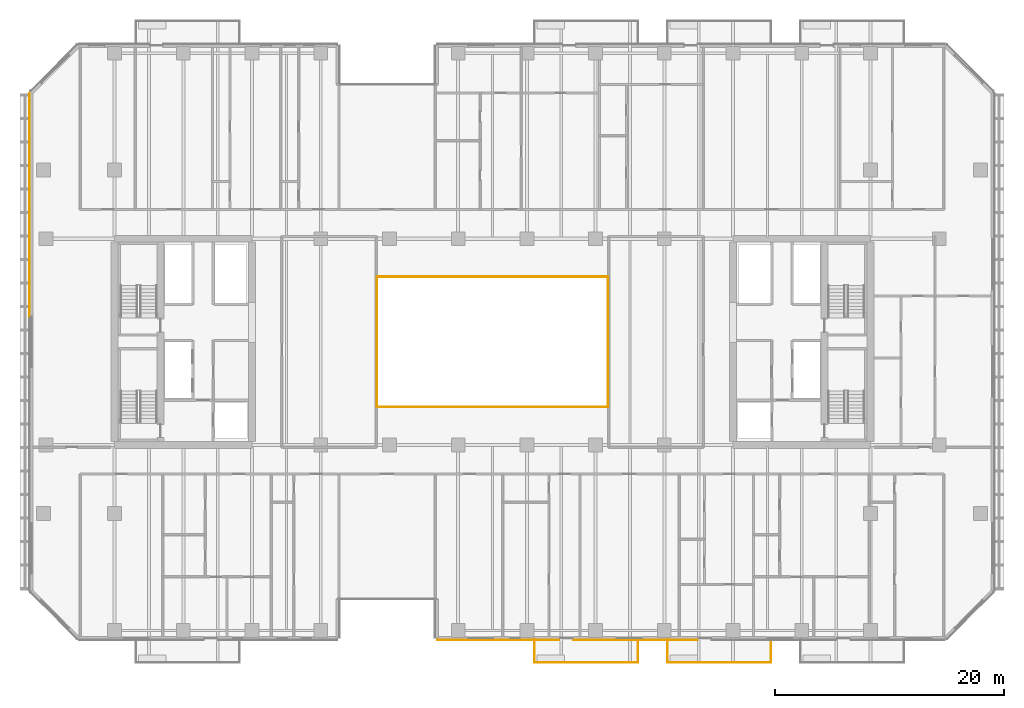
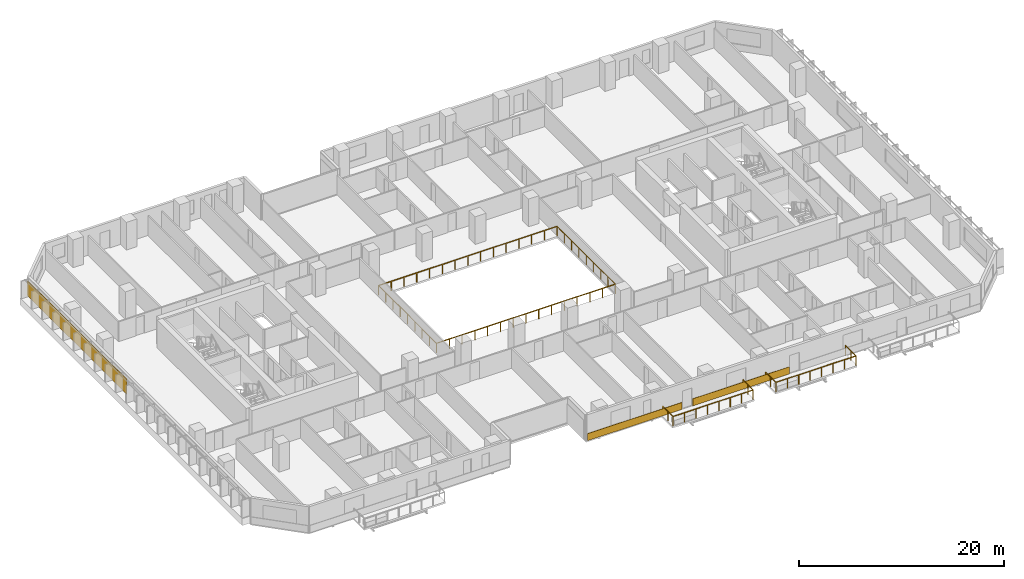
# One storey, part 21 of 26: 4 railings, 3 coverings.
"""IFC4 building model written with IfcOpenShell, lengths in metres."""

from ifc_helpers import new_model, si_unit, direction, frame, origin, origin_2d, place, context, subcontext, project, spatial, rectangle, extrude, material, layer, layer_set, type_object, element, save


model = new_model("IFC4")

# Units and contexts
model_context = context("Model", 3, precision=1e-05, world=origin(), true_north=direction((0.0, 1.0)))
body_context = subcontext(model_context, "Body", "Model", "MODEL_VIEW")
ifc_project = project(units=[si_unit("LENGTHUNIT", "METRE"), si_unit("AREAUNIT", "SQUARE_METRE"), si_unit("VOLUMEUNIT", "CUBIC_METRE"), si_unit("PLANEANGLEUNIT", "RADIAN"), si_unit("MASSUNIT", "GRAM", prefix="KILO")], contexts=[model_context])

# Site, building, storey
site_placement = place(None, origin())
site = spatial("IfcSite", under=ifc_project, at=site_placement, CompositionType="ELEMENT")
building_placement = place(site_placement, origin())
building = spatial("IfcBuilding", under=site, at=building_placement, Name="Tanjung Sevakor Pilgrim Tower", CompositionType="ELEMENT")
storey_placement = place(building_placement, frame((0.0, 0.0, 48.840087890625)))
storey = spatial("IfcBuildingStorey", under=building, at=storey_placement, Name="L13", CompositionType="ELEMENT", Elevation=48.840087890625)

# Coverings
ifc_material_1 = material(Name="Reconstructed Limestone Cladding", Category="masonry")
ifc_layer = layer(ifc_material_1, 0.044921875)
ifc_layer_set = layer_set([ifc_layer], Name="COV-CLAD-LIMESTONE")
covering_type = type_object("IfcCoveringType", Name="COV-CLAD-LIMESTONE", PredefinedType="CLADDING", material=ifc_layer_set)
covering_1_placement = place(storey_placement, frame((57.510009765625, 7.577392578125, 0.009765625), z_axis=(0.0, 0.0, 1.0), x_axis=(1.0, 0.0, 0.0)))
element("IfcCovering", 1, at=covering_1_placement, inside=storey, type_object=covering_type, Name="L13 Warm Limestone Sill Spandrel EW-L13-MAIN-5-1", PredefinedType="CLADDING", context=body_context, shape_type="SweptSolid", body=[
    extrude(rectangle(XDim=10.659912109375, YDim=0.044921875, at=origin_2d()), origin(), (0.0, 0.0, 1.0), 0.840087890625),
])
covering_2_placement = place(storey_placement, frame((69.5, 7.577392578125, 0.009765625), z_axis=(0.0, 0.0, 1.0), x_axis=(1.0, 0.0, 0.0)))
element("IfcCovering", 2, at=covering_2_placement, inside=storey, type_object=covering_type, Name="L13 Warm Limestone Sill Spandrel EW-L13-MAIN-5-2", PredefinedType="CLADDING", context=body_context, shape_type="SweptSolid", body=[
    extrude(rectangle(XDim=10.8798828125, YDim=0.044921875, at=origin_2d()), origin(), (0.0, 0.0, 1.0), 0.840087890625),
])
covering_3_placement = place(storey_placement, frame((16.577392578125, 45.575927734375, 0.849853515625), z_axis=(0.0, 0.0, 1.0), x_axis=(0.0, -1.0, 0.0)))
element("IfcCovering", 3, at=covering_3_placement, inside=storey, type_object=covering_type, Name="L13 Warm Limestone Pier Panel EW-L13-MAIN-15-1", PredefinedType="CLADDING", context=body_context, shape_type="SweptSolid", body=[
    extrude(rectangle(XDim=19.451904296875, YDim=0.044921875, at=origin_2d()), origin(), (0.0, 0.0, 1.0), 1.81005859375),
])

# Railings
ifc_material_2 = material(Name="Laminated Glass and Aluminium", Category="aluminium")
railing_type = type_object("IfcRailingType", Name="RL-BAL-BALUST", PredefinedType="BALUSTRADE", material=ifc_material_2)
railing_1_placement = place(storey_placement, frame((46.919921875, 27.919921875, 0.0)))
element("IfcRailing", 4, at=railing_1_placement, inside=storey, type_object=railing_type, Name="L13 Void Opening Balustrade 1A", PredefinedType="BALUSTRADE", context=body_context, shape_type="SweptSolid", body=[
    extrude(rectangle(XDim=0.0479, YDim=0.0479), frame((0.0, 0.0, 1.1259765625), z_axis=(1.0, 0.0, 0.0), x_axis=(0.0, 1.0, 0.0)), (0.0, 0.0, 1.0), 20.16015625),
    extrude(rectangle(XDim=0.0479, YDim=0.0479), frame((20.16015625, 0.0, 1.1259765625), z_axis=(0.0, 1.0, 0.0), x_axis=(-1.0, 0.0, 0.0)), (0.0, 0.0, 1.0), 11.360107421875),
    extrude(rectangle(XDim=0.042, YDim=0.042), origin(), (0.0, 0.0, 1.0), 1.101806640625),
    extrude(rectangle(XDim=0.042, YDim=0.042), frame((1.43994140625, 0.0, 0.0)), (0.0, 0.0, 1.0), 1.101806640625),
    extrude(rectangle(XDim=0.042, YDim=0.042), frame((2.880126953125, 0.0, 0.0)), (0.0, 0.0, 1.0), 1.101806640625),
    extrude(rectangle(XDim=0.042, YDim=0.042), frame((4.320068359375, 0.0, 0.0)), (0.0, 0.0, 1.0), 1.101806640625),
    extrude(rectangle(XDim=0.042, YDim=0.042), frame((5.760009765625, 0.0, 0.0)), (0.0, 0.0, 1.0), 1.101806640625),
    extrude(rectangle(XDim=0.042, YDim=0.042), frame((7.199951171875, 0.0, 0.0)), (0.0, 0.0, 1.0), 1.101806640625),
    extrude(rectangle(XDim=0.042, YDim=0.042), frame((8.64013671875, 0.0, 0.0)), (0.0, 0.0, 1.0), 1.101806640625),
    extrude(rectangle(XDim=0.042, YDim=0.042), frame((10.080078125, 0.0, 0.0)), (0.0, 0.0, 1.0), 1.101806640625),
    extrude(rectangle(XDim=0.042, YDim=0.042), frame((11.52001953125, 0.0, 0.0)), (0.0, 0.0, 1.0), 1.101806640625),
    extrude(rectangle(XDim=0.042, YDim=0.042), frame((12.960205078125, 0.0, 0.0)), (0.0, 0.0, 1.0), 1.101806640625),
    extrude(rectangle(XDim=0.042, YDim=0.042), frame((14.400146484375, 0.0, 0.0)), (0.0, 0.0, 1.0), 1.101806640625),
    extrude(rectangle(XDim=0.042, YDim=0.042), frame((15.840087890625, 0.0, 0.0)), (0.0, 0.0, 1.0), 1.101806640625),
    extrude(rectangle(XDim=0.042, YDim=0.042), frame((17.280029296875, 0.0, 0.0)), (0.0, 0.0, 1.0), 1.101806640625),
    extrude(rectangle(XDim=0.042, YDim=0.042), frame((18.72021484375, 0.0, 0.0)), (0.0, 0.0, 1.0), 1.101806640625),
    extrude(rectangle(XDim=0.042, YDim=0.042), frame((20.16015625, 0.0, 0.0)), (0.0, 0.0, 1.0), 1.101806640625),
    extrude(rectangle(XDim=0.042, YDim=0.042), frame((20.16015625, 1.419921875, 0.0)), (0.0, 0.0, 1.0), 1.101806640625),
    extrude(rectangle(XDim=0.042, YDim=0.042), frame((20.16015625, 2.840087890625, 0.0)), (0.0, 0.0, 1.0), 1.101806640625),
    extrude(rectangle(XDim=0.042, YDim=0.042), frame((20.16015625, 4.260009765625, 0.0)), (0.0, 0.0, 1.0), 1.101806640625),
    extrude(rectangle(XDim=0.042, YDim=0.042), frame((20.16015625, 5.68017578125, 0.0)), (0.0, 0.0, 1.0), 1.101806640625),
    extrude(rectangle(XDim=0.042, YDim=0.042), frame((20.16015625, 7.10009765625, 0.0)), (0.0, 0.0, 1.0), 1.101806640625),
    extrude(rectangle(XDim=0.042, YDim=0.042), frame((20.16015625, 8.52001953125, 0.0)), (0.0, 0.0, 1.0), 1.101806640625),
    extrude(rectangle(XDim=0.042, YDim=0.042), frame((20.16015625, 9.940185546875, 0.0)), (0.0, 0.0, 1.0), 1.101806640625),
    extrude(rectangle(XDim=0.042, YDim=0.042), frame((20.16015625, 11.360107421875, 0.0)), (0.0, 0.0, 1.0), 1.101806640625),
])
railing_2_placement = place(storey_placement, frame((67.080078125, 39.280029296875, 0.0)))
element("IfcRailing", 5, at=railing_2_placement, inside=storey, type_object=railing_type, Name="L13 Void Opening Balustrade 1B", PredefinedType="BALUSTRADE", context=body_context, shape_type="SweptSolid", body=[
    extrude(rectangle(XDim=0.0479, YDim=0.0479), frame((0.0, 0.0, 1.1259765625), z_axis=(-1.0, 0.0, 0.0), x_axis=(0.0, -1.0, 0.0)), (0.0, 0.0, 1.0), 20.16015625),
    extrude(rectangle(XDim=0.0479, YDim=0.0479), frame((-20.16015625, 0.0, 1.1259765625), z_axis=(0.0, -1.0, 0.0), x_axis=(1.0, 0.0, 0.0)), (0.0, 0.0, 1.0), 11.360107421875),
    extrude(rectangle(XDim=0.042, YDim=0.042), origin(), (0.0, 0.0, 1.0), 1.101806640625),
    extrude(rectangle(XDim=0.042, YDim=0.042), frame((-1.43994140625, 0.0, 0.0)), (0.0, 0.0, 1.0), 1.101806640625),
    extrude(rectangle(XDim=0.042, YDim=0.042), frame((-2.880126953125, 0.0, 0.0)), (0.0, 0.0, 1.0), 1.101806640625),
    extrude(rectangle(XDim=0.042, YDim=0.042), frame((-4.320068359375, 0.0, 0.0)), (0.0, 0.0, 1.0), 1.101806640625),
    extrude(rectangle(XDim=0.042, YDim=0.042), frame((-5.760009765625, 0.0, 0.0)), (0.0, 0.0, 1.0), 1.101806640625),
    extrude(rectangle(XDim=0.042, YDim=0.042), frame((-7.199951171875, 0.0, 0.0)), (0.0, 0.0, 1.0), 1.101806640625),
    extrude(rectangle(XDim=0.042, YDim=0.042), frame((-8.64013671875, 0.0, 0.0)), (0.0, 0.0, 1.0), 1.101806640625),
    extrude(rectangle(XDim=0.042, YDim=0.042), frame((-10.080078125, 0.0, 0.0)), (0.0, 0.0, 1.0), 1.101806640625),
    extrude(rectangle(XDim=0.042, YDim=0.042), frame((-11.52001953125, 0.0, 0.0)), (0.0, 0.0, 1.0), 1.101806640625),
    extrude(rectangle(XDim=0.042, YDim=0.042), frame((-12.960205078125, 0.0, 0.0)), (0.0, 0.0, 1.0), 1.101806640625),
    extrude(rectangle(XDim=0.042, YDim=0.042), frame((-14.400146484375, 0.0, 0.0)), (0.0, 0.0, 1.0), 1.101806640625),
    extrude(rectangle(XDim=0.042, YDim=0.042), frame((-15.840087890625, 0.0, 0.0)), (0.0, 0.0, 1.0), 1.101806640625),
    extrude(rectangle(XDim=0.042, YDim=0.042), frame((-17.280029296875, 0.0, 0.0)), (0.0, 0.0, 1.0), 1.101806640625),
    extrude(rectangle(XDim=0.042, YDim=0.042), frame((-18.72021484375, 0.0, 0.0)), (0.0, 0.0, 1.0), 1.101806640625),
    extrude(rectangle(XDim=0.042, YDim=0.042), frame((-20.16015625, 0.0, 0.0)), (0.0, 0.0, 1.0), 1.101806640625),
    extrude(rectangle(XDim=0.042, YDim=0.042), frame((-20.16015625, -1.419921875, 0.0)), (0.0, 0.0, 1.0), 1.101806640625),
    extrude(rectangle(XDim=0.042, YDim=0.042), frame((-20.16015625, -2.840087890625, 0.0)), (0.0, 0.0, 1.0), 1.101806640625),
    extrude(rectangle(XDim=0.042, YDim=0.042), frame((-20.16015625, -4.260009765625, 0.0)), (0.0, 0.0, 1.0), 1.101806640625),
    extrude(rectangle(XDim=0.042, YDim=0.042), frame((-20.16015625, -5.68017578125, 0.0)), (0.0, 0.0, 1.0), 1.101806640625),
    extrude(rectangle(XDim=0.042, YDim=0.042), frame((-20.16015625, -7.10009765625, 0.0)), (0.0, 0.0, 1.0), 1.101806640625),
    extrude(rectangle(XDim=0.042, YDim=0.042), frame((-20.16015625, -8.52001953125, 0.0)), (0.0, 0.0, 1.0), 1.101806640625),
    extrude(rectangle(XDim=0.042, YDim=0.042), frame((-20.16015625, -9.940185546875, 0.0)), (0.0, 0.0, 1.0), 1.101806640625),
    extrude(rectangle(XDim=0.042, YDim=0.042), frame((-20.16015625, -11.360107421875, 0.0)), (0.0, 0.0, 1.0), 1.101806640625),
])
railing_3_placement = place(storey_placement, frame((60.679931640625, 7.60009765625, 0.0)))
element("IfcRailing", 6, at=railing_3_placement, inside=storey, type_object=railing_type, Name="L13 Loggia Balustrade MAIN-S2", PredefinedType="BALUSTRADE", context=body_context, shape_type="SweptSolid", body=[
    extrude(rectangle(XDim=0.0479, YDim=0.0479), frame((0.0, 0.0, 1.1259765625), z_axis=(0.0, -1.0, 0.0), x_axis=(1.0, 0.0, 0.0)), (0.0, 0.0, 1.0), 2.02001953125),
    extrude(rectangle(XDim=0.0479, YDim=0.0479), frame((0.0, -2.02001953125, 1.1259765625), z_axis=(1.0, 0.0, 0.0), x_axis=(0.0, 1.0, 0.0)), (0.0, 0.0, 1.0), 9.0400390625),
    extrude(rectangle(XDim=0.0479, YDim=0.0479), frame((9.0400390625, -2.02001953125, 1.1259765625), z_axis=(0.0, 1.0, 0.0), x_axis=(-1.0, 0.0, 0.0)), (0.0, 0.0, 1.0), 2.02001953125),
    extrude(rectangle(XDim=0.042, YDim=0.042), origin(), (0.0, 0.0, 1.0), 1.101806640625),
    extrude(rectangle(XDim=0.042, YDim=0.042), frame((0.0, -1.010009765625, 0.0)), (0.0, 0.0, 1.0), 1.101806640625),
    extrude(rectangle(XDim=0.042, YDim=0.042), frame((0.0, -2.02001953125, 0.0)), (0.0, 0.0, 1.0), 1.101806640625),
    extrude(rectangle(XDim=0.042, YDim=0.042), frame((1.29150390625, -2.02001953125, 0.0)), (0.0, 0.0, 1.0), 1.101806640625),
    extrude(rectangle(XDim=0.042, YDim=0.042), frame((2.582763671875, -2.02001953125, 0.0)), (0.0, 0.0, 1.0), 1.101806640625),
    extrude(rectangle(XDim=0.042, YDim=0.042), frame((3.874267578125, -2.02001953125, 0.0)), (0.0, 0.0, 1.0), 1.101806640625),
    extrude(rectangle(XDim=0.042, YDim=0.042), frame((5.165771484375, -2.02001953125, 0.0)), (0.0, 0.0, 1.0), 1.101806640625),
    extrude(rectangle(XDim=0.042, YDim=0.042), frame((6.457275390625, -2.02001953125, 0.0)), (0.0, 0.0, 1.0), 1.101806640625),
    extrude(rectangle(XDim=0.042, YDim=0.042), frame((7.74853515625, -2.02001953125, 0.0)), (0.0, 0.0, 1.0), 1.101806640625),
    extrude(rectangle(XDim=0.042, YDim=0.042), frame((9.0400390625, -2.02001953125, 0.0)), (0.0, 0.0, 1.0), 1.101806640625),
    extrude(rectangle(XDim=0.042, YDim=0.042), frame((9.0400390625, -1.010009765625, 0.0)), (0.0, 0.0, 1.0), 1.101806640625),
    extrude(rectangle(XDim=0.042, YDim=0.042), frame((9.0400390625, 0.0, 0.0)), (0.0, 0.0, 1.0), 1.101806640625),
])
railing_4_placement = place(storey_placement, frame((72.280029296875, 7.60009765625, 0.0)))
element("IfcRailing", 7, at=railing_4_placement, inside=storey, type_object=railing_type, Name="L13 Loggia Balustrade MAIN-S3", PredefinedType="BALUSTRADE", context=body_context, shape_type="SweptSolid", body=[
    extrude(rectangle(XDim=0.0479, YDim=0.0479), frame((0.0, 0.0, 1.1259765625), z_axis=(0.0, -1.0, 0.0), x_axis=(1.0, 0.0, 0.0)), (0.0, 0.0, 1.0), 2.02001953125),
    extrude(rectangle(XDim=0.0479, YDim=0.0479), frame((0.0, -2.02001953125, 1.1259765625), z_axis=(1.0, 0.0, 0.0), x_axis=(0.0, 1.0, 0.0)), (0.0, 0.0, 1.0), 9.0400390625),
    extrude(rectangle(XDim=0.0479, YDim=0.0479), frame((9.0400390625, -2.02001953125, 1.1259765625), z_axis=(0.0, 1.0, 0.0), x_axis=(-1.0, 0.0, 0.0)), (0.0, 0.0, 1.0), 2.02001953125),
    extrude(rectangle(XDim=0.042, YDim=0.042), origin(), (0.0, 0.0, 1.0), 1.101806640625),
    extrude(rectangle(XDim=0.042, YDim=0.042), frame((0.0, -1.010009765625, 0.0)), (0.0, 0.0, 1.0), 1.101806640625),
    extrude(rectangle(XDim=0.042, YDim=0.042), frame((0.0, -2.02001953125, 0.0)), (0.0, 0.0, 1.0), 1.101806640625),
    extrude(rectangle(XDim=0.042, YDim=0.042), frame((1.29150390625, -2.02001953125, 0.0)), (0.0, 0.0, 1.0), 1.101806640625),
    extrude(rectangle(XDim=0.042, YDim=0.042), frame((2.582763671875, -2.02001953125, 0.0)), (0.0, 0.0, 1.0), 1.101806640625),
    extrude(rectangle(XDim=0.042, YDim=0.042), frame((3.874267578125, -2.02001953125, 0.0)), (0.0, 0.0, 1.0), 1.101806640625),
    extrude(rectangle(XDim=0.042, YDim=0.042), frame((5.165771484375, -2.02001953125, 0.0)), (0.0, 0.0, 1.0), 1.101806640625),
    extrude(rectangle(XDim=0.042, YDim=0.042), frame((6.457275390625, -2.02001953125, 0.0)), (0.0, 0.0, 1.0), 1.101806640625),
    extrude(rectangle(XDim=0.042, YDim=0.042), frame((7.74853515625, -2.02001953125, 0.0)), (0.0, 0.0, 1.0), 1.101806640625),
    extrude(rectangle(XDim=0.042, YDim=0.042), frame((9.0400390625, -2.02001953125, 0.0)), (0.0, 0.0, 1.0), 1.101806640625),
    extrude(rectangle(XDim=0.042, YDim=0.042), frame((9.0400390625, -1.010009765625, 0.0)), (0.0, 0.0, 1.0), 1.101806640625),
    extrude(rectangle(XDim=0.042, YDim=0.042), frame((9.0400390625, 0.0, 0.0)), (0.0, 0.0, 1.0), 1.101806640625),
])

save(model, "model.ifc")
